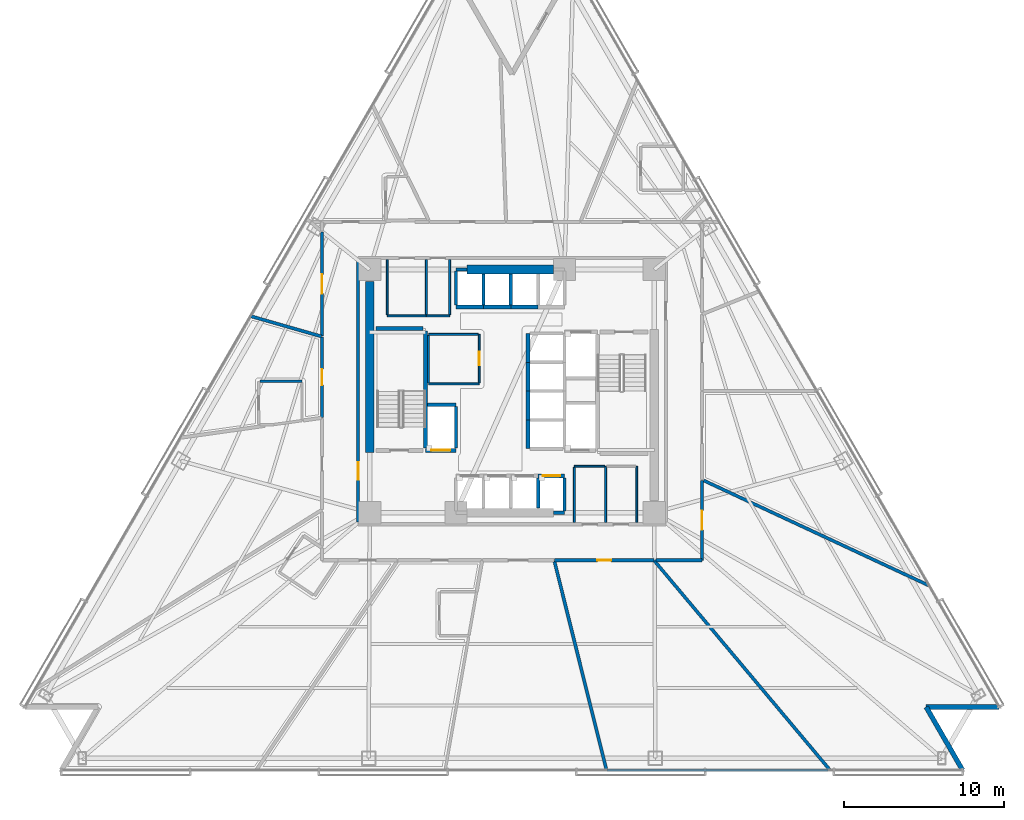
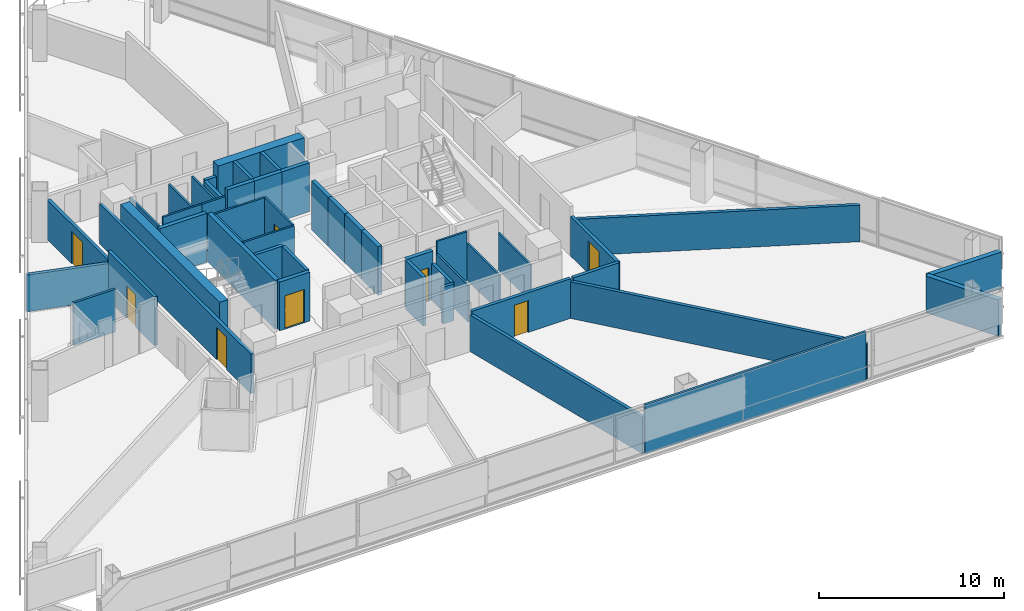
# One storey, part 8 of 16: 49 walls, 8 doors, 8 openings.
"""IFC4 building model written with IfcOpenShell, lengths in metres."""

from ifc_helpers import new_model, si_unit, direction, frame, frame_2d, origin, place, context, subcontext, project, spatial, rectangle, extrude, material, layer, layer_set, type_object, element, fill, save


model = new_model("IFC4")

# Units and contexts
model_context = context("Model", 3, precision=1e-05, world=origin(), true_north=direction((0.0, 1.0)))
body_context = subcontext(model_context, "Body", "Model", "MODEL_VIEW")
ifc_project = project(units=[si_unit("LENGTHUNIT", "METRE"), si_unit("AREAUNIT", "SQUARE_METRE"), si_unit("VOLUMEUNIT", "CUBIC_METRE"), si_unit("PLANEANGLEUNIT", "RADIAN"), si_unit("MASSUNIT", "GRAM", prefix="KILO")], contexts=[model_context])

# Site, building, storey
site_placement = place(None, origin())
site = spatial("IfcSite", under=ifc_project, at=site_placement, CompositionType="ELEMENT")
building_placement = place(site_placement, origin())
building = spatial("IfcBuilding", under=site, at=building_placement, Name="Tharavind Bronze Gate", CompositionType="ELEMENT")
storey_placement = place(building_placement, frame((0.0, 0.0, 42.050048828125)))
storey = spatial("IfcBuildingStorey", under=building, at=storey_placement, Name="L09", CompositionType="ELEMENT", Elevation=42.050048828125)

# Walls
ifc_material_1 = material(Name="Concrete C40/50", Category="concrete")
ifc_layer_1 = layer(ifc_material_1, 0.300048828125)
ifc_layer_set_1 = layer_set([ifc_layer_1], Name="Concrete C40/50")
wall_type_1 = type_object("IfcWallType", Name="EXTERIOR SPANDREL WALL 300", PredefinedType="STANDARD", material=ifc_layer_set_1)
wall_1_placement = place(storey_placement, frame((28.17578125, -23.699951171875, 0.0), z_axis=(0.0, 0.0, 1.0), x_axis=(-0.500014431597, 0.866017071537, 0.0)))
element("IfcWall", 1, at=wall_1_placement, inside=storey, type_object=wall_type_1, Name="L09 notch cheek wall 3A", PredefinedType="STANDARD", context=body_context, shape_type="SweptSolid", body=[
    extrude(rectangle(XDim=4.559814453125, YDim=0.300048828125, at=frame_2d((2.27978515625, 0.0))), origin(), (0.0, 0.0, 1.0), 2.419921875),
])
wall_2_placement = place(storey_placement, frame((25.895751953125, -19.7509765625, 0.0), z_axis=(0.0, 0.0, 1.0), x_axis=(1.0, 0.0, 0.0)))
element("IfcWall", 2, at=wall_2_placement, inside=storey, type_object=wall_type_1, Name="L09 notch cheek wall 3B", PredefinedType="STANDARD", context=body_context, shape_type="SweptSolid", body=[
    extrude(rectangle(XDim=4.56005859375, YDim=0.300048828125, at=frame_2d((2.280029296875, 0.0))), origin(), (0.0, 0.0, 1.0), 2.419921875),
])

# Wall, opening, door
ifc_material_2 = material(Name="Aerated Concrete Block", Category="concrete")
ifc_layer_2 = layer(ifc_material_2, 0.199951171875)
ifc_layer_set_2 = layer_set([ifc_layer_2], Name="Aerated Concrete Block")
wall_type_2 = type_object("IfcWallType", Name="FIRE RATED PARTITION 200", PredefinedType="PARTITIONING", material=ifc_layer_set_2)
wall_3_placement = place(storey_placement, frame((-9.6201171875, 8.199951171875, 0.0), z_axis=(0.0, 0.0, 1.0), x_axis=(0.0, -1.0, 0.0)))
wall_3 = element("IfcWall", 3, at=wall_3_placement, inside=storey, type_object=wall_type_2, Name="L09 west core corridor wall", PredefinedType="PARTITIONING", context=body_context, shape_type="SweptSolid", body=[
    extrude(rectangle(XDim=16.39990234375, YDim=0.199951171875, at=frame_2d((8.199951171875, 0.0))), origin(), (0.0, 0.0, 1.0), 2.619873046875),
])
opening_1_placement = place(wall_3_placement, frame((12.64990234375, 0.0, 0.0)))
opening_1 = element("IfcOpeningElement", 4, at=opening_1_placement, cuts=wall_3, Name="Opening ID01", PredefinedType="OPENING", context=body_context, shape_type="SweptSolid", body=[
    extrude(rectangle(XDim=1.10009765625, YDim=2.14990234375, at=frame_2d((0.550048828125, 1.074951171875))), frame((0.0, 0.11009765625, 0.0), z_axis=(0.0, -1.0, 0.0), x_axis=(1.0, 0.0, 0.0)), (0.0, 0.0, 1.0), 0.219951171875),
])
ifc_material_3 = material(Name="Fire-Rated Steel", Category="steel")
door_type_1 = type_object("IfcDoorType", Name="STAIR CORE FIRE DOOR 1100X2150", OperationType="SINGLE_SWING_LEFT", PredefinedType="DOOR", material=ifc_material_3)
door_1_placement = place(opening_1_placement, frame((1.10009765625, 0.0, 0.0), z_axis=(0.0, 0.0, 1.0), x_axis=(-1.0, 0.0, 0.0)))
door_1 = element("IfcDoor", 5, at=door_1_placement, inside=storey, type_object=door_type_1, Name="L09 south west stair lobby fire door", OperationType="SINGLE_SWING_LEFT", OverallHeight=2.14990234375, OverallWidth=1.10009765625, PredefinedType="DOOR", context=body_context, shape_type="SweptSolid", body=[
    extrude(rectangle(XDim=1.10009765625, YDim=2.14990234375, at=frame_2d((0.550048828125, 1.074951171875))), frame((0.0, 0.02490234375, 0.0), z_axis=(0.0, -1.0, 0.0), x_axis=(1.0, 0.0, 0.0)), (0.0, 0.0, 1.0), 0.050048828125),
])
fill(opening_1, door_1)

# Wall
wall_4_placement = place(storey_placement, frame((5.904296875, -23.680908203125, 0.0), z_axis=(0.0, 0.0, 1.0), x_axis=(-0.241929995817, 0.970293706629, 0.0)))
element("IfcWall", 6, at=wall_4_placement, inside=storey, type_object=wall_type_2, Name="L09 Public Restrooms Block partition", PredefinedType="PARTITIONING", context=body_context, shape_type="SweptSolid", body=[
    extrude(rectangle(XDim=13.469970703125, YDim=0.199951171875, at=frame_2d((6.73486328125, 0.0))), origin(), (0.0, 0.0, 1.0), 2.419921875),
])

# Wall, opening, door
wall_5_placement = place(storey_placement, frame((2.669921875, -10.580078125, 0.0), z_axis=(0.0, 0.0, 1.0), x_axis=(1.0, 0.0, 0.0)))
wall_5 = element("IfcWall", 7, at=wall_5_placement, inside=storey, type_object=wall_type_2, Name="L09 Public Restrooms Block partition", PredefinedType="PARTITIONING", context=body_context, shape_type="SweptSolid", body=[
    extrude(rectangle(XDim=6.196044921875, YDim=0.199951171875, at=frame_2d((3.09814453125, 0.0))), origin(), (0.0, 0.0, 1.0), 2.619873046875),
])
opening_2_placement = place(wall_5_placement, frame((2.673095703125, 0.0, 0.0)))
opening_2 = element("IfcOpeningElement", 8, at=opening_2_placement, cuts=wall_5, Name="Opening ID06", PredefinedType="OPENING", context=body_context, shape_type="SweptSolid", body=[
    extrude(rectangle(XDim=0.85009765625, YDim=2.10009765625, at=frame_2d((0.425048828125, 1.050048828125))), frame((0.0, 0.11009765625, 0.0), z_axis=(0.0, -1.0, 0.0), x_axis=(1.0, 0.0, 0.0)), (0.0, 0.0, 1.0), 0.219951171875),
])
ifc_material_4 = material(Name="Moisture-Resistant Timber", Category="wood")
door_type_2 = type_object("IfcDoorType", Name="BATHROOM PRIVACY DOOR 850X2100", OperationType="SINGLE_SWING_RIGHT", PredefinedType="DOOR", material=ifc_material_4)
door_2_placement = place(opening_2_placement, origin())
door_2 = element("IfcDoor", 9, at=door_2_placement, inside=storey, type_object=door_type_2, Name="L09 Public Restrooms Block door", OperationType="SINGLE_SWING_RIGHT", OverallHeight=2.10009765625, OverallWidth=0.85009765625, PredefinedType="DOOR", context=body_context, shape_type="SweptSolid", body=[
    extrude(rectangle(XDim=0.85009765625, YDim=2.10009765625, at=frame_2d((0.425048828125, 1.050048828125))), frame((0.0, 0.02490234375, 0.0), z_axis=(0.0, -1.0, 0.0), x_axis=(1.0, 0.0, 0.0)), (0.0, 0.0, 1.0), 0.050048828125),
])
fill(opening_2, door_2)

# Wall
wall_6_placement = place(storey_placement, frame((8.88525390625, -10.5888671875, 0.0), z_axis=(0.0, 0.0, 1.0), x_axis=(0.642786207644, -0.76604561957, 0.0)))
element("IfcWall", 10, at=wall_6_placement, inside=storey, type_object=wall_type_2, Name="L09 Public Restrooms Block partition", PredefinedType="PARTITIONING", context=body_context, shape_type="SweptSolid", body=[
    extrude(rectangle(XDim=17.115234375, YDim=0.199951171875, at=frame_2d((8.5576171875, 0.0))), origin(), (0.0, 0.0, 1.0), 2.419921875),
])

# Wall, opening, door
wall_7_placement = place(storey_placement, frame((-11.8798828125, 9.956787109375, 0.0), z_axis=(0.0, 0.0, 1.0), x_axis=(0.0, -1.0, 0.0)))
wall_7 = element("IfcWall", 11, at=wall_7_placement, inside=storey, type_object=wall_type_2, Name="L09 Hotel Guest Lounge partition", PredefinedType="PARTITIONING", context=body_context, shape_type="SweptSolid", body=[
    extrude(rectangle(XDim=6.51708984375, YDim=0.199951171875, at=frame_2d((3.258544921875, 0.0))), origin(), (0.0, 0.0, 1.0), 2.619873046875),
])
opening_3_placement = place(wall_7_placement, frame((2.658935546875, 0.0, 0.0)))
opening_3 = element("IfcOpeningElement", 12, at=opening_3_placement, cuts=wall_7, Name="Opening ID05", PredefinedType="OPENING", context=body_context, shape_type="SweptSolid", body=[
    extrude(rectangle(XDim=1.199951171875, YDim=2.14990234375, at=frame_2d((0.60009765625, 1.074951171875))), frame((0.0, 0.11009765625, 0.0), z_axis=(0.0, -1.0, 0.0), x_axis=(1.0, 0.0, 0.0)), (0.0, 0.0, 1.0), 0.219951171875),
])
ifc_material_5 = material(Name="Acoustic Laminated Glass", Category="glass")
door_type_3 = type_object("IfcDoorType", Name="MEETING ROOM GLAZED DOOR 1200X2150", OperationType="SINGLE_SWING_LEFT", PredefinedType="DOOR", material=ifc_material_5)
door_3_placement = place(opening_3_placement, origin())
door_3 = element("IfcDoor", 13, at=door_3_placement, inside=storey, type_object=door_type_3, Name="L09 Hotel Guest Lounge door", OperationType="SINGLE_SWING_LEFT", OverallHeight=2.14990234375, OverallWidth=1.199951171875, PredefinedType="DOOR", context=body_context, shape_type="SweptSolid", body=[
    extrude(rectangle(XDim=1.199951171875, YDim=2.14990234375, at=frame_2d((0.60009765625, 1.074951171875))), frame((0.0, 0.02490234375, 0.0), z_axis=(0.0, -1.0, 0.0), x_axis=(1.0, 0.0, 0.0)), (0.0, 0.0, 1.0), 0.050048828125),
])
fill(opening_3, door_3)

# Wall
wall_8_placement = place(storey_placement, frame((-11.911865234375, 3.415771484375, 0.0), z_axis=(0.0, 0.0, 1.0), x_axis=(-0.9612679101, 0.275615683539, 0.0)))
element("IfcWall", 14, at=wall_8_placement, inside=storey, type_object=wall_type_2, Name="L09 Hotel Guest Lounge partition", PredefinedType="PARTITIONING", context=body_context, shape_type="SweptSolid", body=[
    extrude(rectangle(XDim=4.61328125, YDim=0.199951171875, at=frame_2d((2.306640625, 0.0))), origin(), (0.0, 0.0, 1.0), 2.419921875),
])

# Wall, opening, door
wall_9_placement = place(storey_placement, frame((-11.8798828125, 3.3876953125, 0.0), z_axis=(0.0, 0.0, 1.0), x_axis=(0.0, -1.0, 0.0)))
wall_9 = element("IfcWall", 15, at=wall_9_placement, inside=storey, type_object=wall_type_2, Name="L09 Hotel Guest Room partition", PredefinedType="PARTITIONING", context=body_context, shape_type="SweptSolid", body=[
    extrude(rectangle(XDim=5.03564453125, YDim=0.199951171875, at=frame_2d((2.517822265625, 0.0))), origin(), (0.0, 0.0, 1.0), 3.224853515625),
])
opening_4_placement = place(wall_9_placement, frame((2.01806640625, 0.0, 0.0)))
opening_4 = element("IfcOpeningElement", 16, at=opening_4_placement, cuts=wall_9, Name="Opening ID03", PredefinedType="OPENING", context=body_context, shape_type="SweptSolid", body=[
    extrude(rectangle(XDim=1.0, YDim=2.14990234375, at=frame_2d((0.5, 1.074951171875))), frame((0.0, 0.11009765625, 0.0), z_axis=(0.0, -1.0, 0.0), x_axis=(1.0, 0.0, 0.0)), (0.0, 0.0, 1.0), 0.219951171875),
])
ifc_material_6 = material(Name="Solid Timber Veneer", Category="wood")
door_type_4 = type_object("IfcDoorType", Name="HOTEL SUITE ENTRANCE DOOR 1000X2150", OperationType="SINGLE_SWING_LEFT", PredefinedType="DOOR", material=ifc_material_6)
door_4_placement = place(opening_4_placement, origin())
door_4 = element("IfcDoor", 17, at=door_4_placement, inside=storey, type_object=door_type_4, Name="L09 Hotel Guest Room door", OperationType="SINGLE_SWING_LEFT", OverallHeight=2.14990234375, OverallWidth=1.0, PredefinedType="DOOR", context=body_context, shape_type="SweptSolid", body=[
    extrude(rectangle(XDim=1.0, YDim=2.14990234375, at=frame_2d((0.5, 1.074951171875))), frame((0.0, 0.02490234375, 0.0), z_axis=(0.0, -1.0, 0.0), x_axis=(1.0, 0.0, 0.0)), (0.0, 0.0, 1.0), 0.050048828125),
])
fill(opening_4, door_4)

wall_10_placement = place(storey_placement, frame((11.8798828125, -10.579345703125, 0.0), z_axis=(0.0, 0.0, 1.0), x_axis=(0.0, 1.0, 0.0)))
wall_10 = element("IfcWall", 18, at=wall_10_placement, inside=storey, type_object=wall_type_2, Name="L09 Hotel Guest Lounge partition", PredefinedType="PARTITIONING", context=body_context, shape_type="SweptSolid", body=[
    extrude(rectangle(XDim=5.000244140625, YDim=0.199951171875, at=frame_2d((2.5, 0.0))), origin(), (0.0, 0.0, 1.0), 2.619873046875),
])
opening_5_placement = place(wall_10_placement, frame((1.89990234375, 0.0, 0.0)))
opening_5 = element("IfcOpeningElement", 19, at=opening_5_placement, cuts=wall_10, Name="Opening ID05", PredefinedType="OPENING", context=body_context, shape_type="SweptSolid", body=[
    extrude(rectangle(XDim=1.199951171875, YDim=2.14990234375, at=frame_2d((0.60009765625, 1.074951171875))), frame((0.0, 0.11009765625, 0.0), z_axis=(0.0, -1.0, 0.0), x_axis=(1.0, 0.0, 0.0)), (0.0, 0.0, 1.0), 0.219951171875),
])
door_5_placement = place(opening_5_placement, origin())
door_5 = element("IfcDoor", 20, at=door_5_placement, inside=storey, type_object=door_type_3, Name="L09 Hotel Guest Lounge door", OperationType="SINGLE_SWING_LEFT", OverallHeight=2.14990234375, OverallWidth=1.199951171875, PredefinedType="DOOR", context=body_context, shape_type="SweptSolid", body=[
    extrude(rectangle(XDim=1.199951171875, YDim=2.14990234375, at=frame_2d((0.60009765625, 1.074951171875))), frame((0.0, 0.02490234375, 0.0), z_axis=(0.0, -1.0, 0.0), x_axis=(1.0, 0.0, 0.0)), (0.0, 0.0, 1.0), 0.050048828125),
])
fill(opening_5, door_5)

# Walls
wall_11_placement = place(storey_placement, frame((11.985107421875, -5.588623046875, 0.0), z_axis=(0.0, 0.0, 1.0), x_axis=(0.906307562188, -0.422618743929, 0.0)))
element("IfcWall", 21, at=wall_11_placement, inside=storey, type_object=wall_type_2, Name="L09 Hotel Guest Lounge partition", PredefinedType="PARTITIONING", context=body_context, shape_type="SweptSolid", body=[
    extrude(rectangle(XDim=15.53515625, YDim=0.199951171875, at=frame_2d((7.767578125, 0.0))), origin(), (0.0, 0.0, 1.0), 2.419921875),
])
wall_12_placement = place(storey_placement, frame((9.014892578125, -10.580078125, 0.0), z_axis=(0.0, 0.0, 1.0), x_axis=(1.0, 0.0, 0.0)))
element("IfcWall", 22, at=wall_12_placement, inside=storey, type_object=wall_type_2, Name="L09 Hotel Guest Lounge partition", PredefinedType="PARTITIONING", context=body_context, shape_type="SweptSolid", body=[
    extrude(rectangle(XDim=2.864501953125, YDim=0.199951171875, at=frame_2d((1.43212890625, 0.0))), origin(), (0.0, 0.0, 1.0), 2.619873046875),
])
ifc_material_7 = material(Name="Metal Stud Gypsum Partition", Category="gypsum")
ifc_layer_3 = layer(ifc_material_7, 0.1201171875)
ifc_layer_set_3 = layer_set([ifc_layer_3], Name="Metal Stud Gypsum Partition")
wall_type_3 = type_object("IfcWallType", Name="INTERIOR PARTITION WALL 120", PredefinedType="PARTITIONING", material=ifc_layer_set_3)
wall_13_placement = place(storey_placement, frame((-5.219970703125, 0.449951171875, 0.0), z_axis=(0.0, 0.0, 1.0), x_axis=(1.0, 0.0, 0.0)))
element("IfcWall", 23, at=wall_13_placement, inside=storey, type_object=wall_type_3, Name="L09 Electrical & Telecom Store partition 1", PredefinedType="PARTITIONING", context=body_context, shape_type="SweptSolid", body=[
    extrude(rectangle(XDim=3.169921875, YDim=0.1201171875, at=frame_2d((1.5849609375, 0.0))), origin(), (0.0, 0.0, 1.0), 3.224853515625),
])

# Wall, opening, door
wall_14_placement = place(storey_placement, frame((-2.050048828125, 0.514892578125, 0.0), z_axis=(0.0, 0.0, 1.0), x_axis=(0.0, 1.0, 0.0)))
wall_14 = element("IfcWall", 24, at=wall_14_placement, inside=storey, type_object=wall_type_3, Name="L09 Electrical & Telecom Store partition 2", PredefinedType="PARTITIONING", context=body_context, shape_type="SweptSolid", body=[
    extrude(rectangle(XDim=3.03515625, YDim=0.1201171875, at=frame_2d((1.517578125, 0.0))), origin(), (0.0, 0.0, 1.0), 3.224853515625),
])
opening_6_placement = place(wall_14_placement, frame((1.092041015625, 0.0, 0.0)))
opening_6 = element("IfcOpeningElement", 25, at=opening_6_placement, cuts=wall_14, Name="Opening ID06", PredefinedType="OPENING", context=body_context, shape_type="SweptSolid", body=[
    extrude(rectangle(XDim=0.85009765625, YDim=2.10009765625, at=frame_2d((0.425048828125, 1.050048828125))), frame((0.0, 0.07005859375, 0.0), z_axis=(0.0, -1.0, 0.0), x_axis=(1.0, 0.0, 0.0)), (0.0, 0.0, 1.0), 0.1401171875),
])
door_6_placement = place(opening_6_placement, frame((0.85009765625, 0.0, 0.0), z_axis=(0.0, 0.0, 1.0), x_axis=(-1.0, 0.0, 0.0)))
door_6 = element("IfcDoor", 26, at=door_6_placement, inside=storey, type_object=door_type_2, Name="L09 Electrical & Telecom Store door", OperationType="SINGLE_SWING_RIGHT", OverallHeight=2.10009765625, OverallWidth=0.85009765625, PredefinedType="DOOR", context=body_context, shape_type="SweptSolid", body=[
    extrude(rectangle(XDim=0.85009765625, YDim=2.10009765625, at=frame_2d((0.425048828125, 1.050048828125))), frame((0.0, 0.02490234375, 0.0), z_axis=(0.0, -1.0, 0.0), x_axis=(1.0, 0.0, 0.0)), (0.0, 0.0, 1.0), 0.050048828125),
])
fill(opening_6, door_6)

# Walls
wall_15_placement = place(storey_placement, frame((-2.114990234375, 3.550048828125, 0.0), z_axis=(0.0, 0.0, 1.0), x_axis=(-1.0, 0.0, 0.0)))
element("IfcWall", 27, at=wall_15_placement, inside=storey, type_object=wall_type_3, Name="L09 Electrical & Telecom Store partition 3", PredefinedType="PARTITIONING", context=body_context, shape_type="SweptSolid", body=[
    extrude(rectangle(XDim=3.10498046875, YDim=0.1201171875, at=frame_2d((1.552490234375, 0.0))), origin(), (0.0, 0.0, 1.0), 3.224853515625),
])
wall_16_placement = place(storey_placement, frame((-5.219970703125, 3.485107421875, 0.0), z_axis=(0.0, 0.0, 1.0), x_axis=(0.0, -1.0, 0.0)))
element("IfcWall", 28, at=wall_16_placement, inside=storey, type_object=wall_type_3, Name="L09 Electrical & Telecom Store partition 4", PredefinedType="PARTITIONING", context=body_context, shape_type="SweptSolid", body=[
    extrude(rectangle(XDim=2.97021484375, YDim=0.1201171875, at=frame_2d((1.485107421875, 0.0))), origin(), (0.0, 0.0, 1.0), 3.224853515625),
])
wall_17_placement = place(storey_placement, frame((-7.800048828125, 4.699951171875, 0.0), z_axis=(0.0, 0.0, 1.0), x_axis=(1.0, 0.0, 0.0)))
element("IfcWall", 29, at=wall_17_placement, inside=storey, type_object=wall_type_3, Name="L09 Electrical Metering Room partition 1", PredefinedType="PARTITIONING", context=body_context, shape_type="SweptSolid", body=[
    extrude(rectangle(XDim=2.449951171875, YDim=0.1201171875, at=frame_2d((1.22509765625, 0.0))), origin(), (0.0, 0.0, 1.0), 3.224853515625),
])
for number, where, z_axis, x_axis, name in (
    (30, (-5.35009765625, 4.764892578125, 0.0), (0.0, 0.0, 1.0), (0.0, 1.0, 0.0), "L09 Electrical Metering Room partition 2"),
    (31, (-7.800048828125, 8.215087890625, 0.0), (0.0, 0.0, 1.0), (0.0, -1.0, 0.0), "L09 Electrical Metering Room partition 4"),
):
    element("IfcWall", number, at=place(storey_placement, frame(where, z_axis=z_axis, x_axis=x_axis)), inside=storey, type_object=wall_type_3, Name=name, PredefinedType="PARTITIONING", context=body_context, shape_type="SweptSolid", body=[
        extrude(rectangle(XDim=3.4501953125, YDim=0.1201171875, at=frame_2d((1.72509765625, 0.0))), origin(), (0.0, 0.0, 1.0), 2.419921875),
    ])
wall_18_placement = place(storey_placement, frame((-5.35009765625, 4.699951171875, 0.0), z_axis=(0.0, 0.0, 1.0), x_axis=(1.0, 0.0, 0.0)))
element("IfcWall", 32, at=wall_18_placement, inside=storey, type_object=wall_type_3, Name="L09 Linen Cupboard partition 1", PredefinedType="PARTITIONING", context=body_context, shape_type="SweptSolid", body=[
    extrude(rectangle(XDim=1.4501953125, YDim=0.1201171875, at=frame_2d((0.72509765625, 0.0))), origin(), (0.0, 0.0, 1.0), 3.224853515625),
])
wall_19_placement = place(storey_placement, frame((-3.89990234375, 4.764892578125, 0.0), z_axis=(0.0, 0.0, 1.0), x_axis=(0.0, 1.0, 0.0)))
element("IfcWall", 33, at=wall_19_placement, inside=storey, type_object=wall_type_3, Name="L09 Linen Cupboard partition 2", PredefinedType="PARTITIONING", context=body_context, shape_type="SweptSolid", body=[
    extrude(rectangle(XDim=3.4501953125, YDim=0.1201171875, at=frame_2d((1.72509765625, 0.0))), origin(), (0.0, 0.0, 1.0), 2.419921875),
])
wall_20_placement = place(storey_placement, frame((5.85009765625, -8.215087890625, 0.0), z_axis=(0.0, 0.0, 1.0), x_axis=(0.0, 1.0, 0.0)))
element("IfcWall", 34, at=wall_20_placement, inside=storey, type_object=wall_type_3, Name="L09 Comms Patch Room partition 2", PredefinedType="PARTITIONING", context=body_context, shape_type="SweptSolid", body=[
    extrude(rectangle(XDim=3.51513671875, YDim=0.1201171875, at=frame_2d((1.757568359375, 0.0))), origin(), (0.0, 0.0, 1.0), 2.419921875),
])
wall_21_placement = place(storey_placement, frame((5.784912109375, -4.699951171875, 0.0), z_axis=(0.0, 0.0, 1.0), x_axis=(-1.0, 0.0, 0.0)))
element("IfcWall", 35, at=wall_21_placement, inside=storey, type_object=wall_type_3, Name="L09 Comms Patch Room partition 3", PredefinedType="PARTITIONING", context=body_context, shape_type="SweptSolid", body=[
    extrude(rectangle(XDim=1.885009765625, YDim=0.1201171875, at=frame_2d((0.9423828125, 0.0))), origin(), (0.0, 0.0, 1.0), 3.224853515625),
])
wall_22_placement = place(storey_placement, frame((3.89990234375, -4.764892578125, 0.0), z_axis=(0.0, 0.0, 1.0), x_axis=(0.0, -1.0, 0.0)))
element("IfcWall", 36, at=wall_22_placement, inside=storey, type_object=wall_type_3, Name="L09 Comms Patch Room partition 4", PredefinedType="PARTITIONING", context=body_context, shape_type="SweptSolid", body=[
    extrude(rectangle(XDim=3.4501953125, YDim=0.1201171875, at=frame_2d((1.72509765625, 0.0))), origin(), (0.0, 0.0, 1.0), 2.419921875),
])
wall_23_placement = place(storey_placement, frame((7.800048828125, -8.215087890625, 0.0), z_axis=(0.0, 0.0, 1.0), x_axis=(0.0, 1.0, 0.0)))
element("IfcWall", 37, at=wall_23_placement, inside=storey, type_object=wall_type_3, Name="L09 Housekeeping Store partition 2", PredefinedType="PARTITIONING", context=body_context, shape_type="SweptSolid", body=[
    extrude(rectangle(XDim=3.51513671875, YDim=0.1201171875, at=frame_2d((1.757568359375, 0.0))), origin(), (0.0, 0.0, 1.0), 2.419921875),
])
ifc_material_8 = material(Name="Twin Stud Acoustic Gypsum", Category="gypsum")
ifc_layer_4 = layer(ifc_material_8, 0.14990234375)
ifc_layer_set_4 = layer_set([ifc_layer_4], Name="Twin Stud Acoustic Gypsum")
wall_type_4 = type_object("IfcWallType", Name="INTERIOR PARTITION WALL 150", PredefinedType="PARTITIONING", material=ifc_layer_set_4)
wall_24_placement = place(storey_placement, frame((-15.74951171875, 0.608154296875, 0.0), z_axis=(0.0, 0.0, 1.0), x_axis=(1.0, 0.0, 0.0)))
element("IfcWall", 38, at=wall_24_placement, inside=storey, type_object=wall_type_4, Name="L09 En-Suite Bathroom partition", PredefinedType="PARTITIONING", context=body_context, shape_type="SweptSolid", body=[
    extrude(rectangle(XDim=2.619873046875, YDim=0.14990234375, at=frame_2d((1.31005859375, 0.0))), origin(), (0.0, 0.0, 1.0), 2.820068359375),
])
wall_25_placement = place(storey_placement, frame((19.74951171875, -23.699951171875, 0.0), z_axis=(0.0, 0.0, 1.0), x_axis=(-1.0, 0.0, 0.0)))
element("IfcWall", 39, at=wall_25_placement, inside=storey, type_object=wall_type_4, Name="L09 Public Restrooms Block partition", PredefinedType="PARTITIONING", context=body_context, shape_type="SweptSolid", body=[
    extrude(rectangle(XDim=13.82080078125, YDim=0.14990234375, at=frame_2d((6.910400390625, 0.0))), origin(), (0.0, 0.0, 1.0), 3.224853515625),
])
ifc_material_9 = material(Name="Concrete C50/60", Category="concrete")
ifc_layer_5 = layer(ifc_material_9, 0.25)
ifc_layer_set_5 = layer_set([ifc_layer_5], Name="Concrete C50/60")
wall_type_5 = type_object("IfcWallType", Name="RC CORE SHEAR WALL 250", PredefinedType="SHEAR", material=ifc_layer_set_5)
wall_26_placement = place(storey_placement, frame((-5.39990234375, -3.550048828125, 0.0), z_axis=(0.0, 0.0, 1.0), x_axis=(0.0, 1.0, 0.0)))
element("IfcWall", 40, at=wall_26_placement, inside=storey, type_object=wall_type_5, Name="L09 ST1 shaft east wall", PredefinedType="SHEAR", context=body_context, shape_type="SweptSolid", body=[
    extrude(rectangle(XDim=7.300048828125, YDim=0.25, at=frame_2d((3.64990234375, 0.0))), origin(), (0.0, 0.0, 1.0), 3.224853515625),
])
wall_27_placement = place(storey_placement, frame((-8.5, 3.89990234375, 0.0), z_axis=(0.0, 0.0, 1.0), x_axis=(1.0, 0.0, 0.0)))
element("IfcWall", 41, at=wall_27_placement, inside=storey, type_object=wall_type_5, Name="L09 ST1 shaft north wall", PredefinedType="SHEAR", context=body_context, shape_type="SweptSolid", body=[
    extrude(rectangle(XDim=2.949951171875, YDim=0.25, at=frame_2d((1.47509765625, 0.0))), origin(), (0.0, 0.0, 1.0), 3.224853515625),
])

# Wall, opening, door
wall_28_placement = place(storey_placement, frame((1.637451171875, -5.300048828125, 0.0), z_axis=(0.0, 0.0, 1.0), x_axis=(1.0, 0.0, 0.0)))
wall_28 = element("IfcWall", 42, at=wall_28_placement, inside=storey, type_object=wall_type_5, Name="L09 lift PL4 shaft front wall", PredefinedType="SHEAR", context=body_context, shape_type="SweptSolid", body=[
    extrude(rectangle(XDim=1.642578125, YDim=0.25, at=frame_2d((0.8212890625, 0.0))), origin(), (0.0, 0.0, 1.0), 3.224853515625),
])
opening_7_placement = place(wall_28_placement, frame((0.27099609375, 0.0, 0.0)))
opening_7 = element("IfcOpeningElement", 43, at=opening_7_placement, cuts=wall_28, Name="Opening LD01", PredefinedType="OPENING", context=body_context, shape_type="SweptSolid", body=[
    extrude(rectangle(XDim=1.10009765625, YDim=2.199951171875, at=frame_2d((0.550048828125, 1.10009765625))), frame((0.0, 0.135, 0.0), z_axis=(0.0, -1.0, 0.0), x_axis=(1.0, 0.0, 0.0)), (0.0, 0.0, 1.0), 0.27),
])
ifc_material_10 = material(Name="Brushed Bronze Stainless Steel", Category="steel")
door_type_5 = type_object("IfcDoorType", Name="LIFT LANDING SLIDING DOOR 1100X2200", OperationType="SLIDING_TO_LEFT", PredefinedType="DOOR", material=ifc_material_10)
door_7_placement = place(opening_7_placement, origin())
door_7 = element("IfcDoor", 44, at=door_7_placement, inside=storey, type_object=door_type_5, Name="L09 lift PL4 sliding landing door", OperationType="SLIDING_TO_LEFT", OverallHeight=2.199951171875, OverallWidth=1.10009765625, PredefinedType="DOOR", context=body_context, shape_type="SweptSolid", body=[
    extrude(rectangle(XDim=1.10009765625, YDim=2.199951171875, at=frame_2d((0.550048828125, 1.10009765625))), frame((0.0, 0.02490234375, 0.0), z_axis=(0.0, -1.0, 0.0), x_axis=(1.0, 0.0, 0.0)), (0.0, 0.0, 1.0), 0.050048828125),
])
fill(opening_7, door_7)

# Walls
wall_29_placement = place(storey_placement, frame((-3.5, 5.25, 0.0), z_axis=(0.0, 0.0, 1.0), x_axis=(1.0, 0.0, 0.0)))
element("IfcWall", 45, at=wall_29_placement, inside=storey, type_object=wall_type_5, Name="L09 lift PL5 shaft front wall", PredefinedType="SHEAR", context=body_context, shape_type="SweptSolid", body=[
    extrude(rectangle(XDim=1.71240234375, YDim=0.25, at=frame_2d((0.856201171875, 0.0))), origin(), (0.0, 0.0, 1.0), 3.224853515625),
])
wall_30_placement = place(storey_placement, frame((-1.78759765625, 5.25, 0.0), z_axis=(0.0, 0.0, 1.0), x_axis=(1.0, 0.0, 0.0)))
element("IfcWall", 46, at=wall_30_placement, inside=storey, type_object=wall_type_5, Name="L09 lift PL6 shaft front wall", PredefinedType="SHEAR", context=body_context, shape_type="SweptSolid", body=[
    extrude(rectangle(XDim=1.712646484375, YDim=0.25, at=frame_2d((0.8564453125, 0.0))), origin(), (0.0, 0.0, 1.0), 3.224853515625),
])
wall_31_placement = place(storey_placement, frame((-0.074951171875, 5.25, 0.0), z_axis=(0.0, 0.0, 1.0), x_axis=(1.0, 0.0, 0.0)))
element("IfcWall", 47, at=wall_31_placement, inside=storey, type_object=wall_type_5, Name="L09 lift PL7 shaft front wall", PredefinedType="SHEAR", context=body_context, shape_type="SweptSolid", body=[
    extrude(rectangle(XDim=1.71240234375, YDim=0.25, at=frame_2d((0.856201171875, 0.0))), origin(), (0.0, 0.0, 1.0), 3.224853515625),
])
for number, where, z_axis, x_axis, name in (
    (48, (1.0, -3.60009765625, 0.0), (0.0, 0.0, 1.0), (0.0, 1.0, 0.0), "L09 lift PL9 shaft front wall"),
    (49, (1.0, -1.800048828125, 0.0), (0.0, 0.0, 1.0), (0.0, 1.0, 0.0), "L09 lift PL10 shaft front wall"),
    (50, (1.0, 0.0, 0.0), (0.0, 0.0, 1.0), (0.0, 1.0, 0.0), "L09 lift PL11 shaft front wall"),
    (51, (1.0, 1.800048828125, 0.0), (0.0, 0.0, 1.0), (0.0, 1.0, 0.0), "L09 lift PL12 shaft front wall"),
):
    element("IfcWall", number, at=place(storey_placement, frame(where, z_axis=z_axis, x_axis=x_axis)), inside=storey, type_object=wall_type_5, Name=name, PredefinedType="SHEAR", context=body_context, shape_type="SweptSolid", body=[
        extrude(rectangle(XDim=1.800048828125, YDim=0.25, at=frame_2d((0.89990234375, 0.0))), origin(), (0.0, 0.0, 1.0), 3.224853515625),
    ])

# Wall, opening, door
wall_32_placement = place(storey_placement, frame((-5.39990234375, -3.699951171875, 0.0), z_axis=(0.0, 0.0, 1.0), x_axis=(1.0, 0.0, 0.0)))
wall_32 = element("IfcWall", 52, at=wall_32_placement, inside=storey, type_object=wall_type_5, Name="L09 lift FFL1 shaft front wall", PredefinedType="SHEAR", context=body_context, shape_type="SweptSolid", body=[
    extrude(rectangle(XDim=1.89990234375, YDim=0.25, at=frame_2d((0.949951171875, 0.0))), origin(), (0.0, 0.0, 1.0), 3.224853515625),
])
opening_8_placement = place(wall_32_placement, frame((0.35009765625, 0.0, 0.0)))
opening_8 = element("IfcOpeningElement", 53, at=opening_8_placement, cuts=wall_32, Name="Opening LD02", PredefinedType="OPENING", context=body_context, shape_type="SweptSolid", body=[
    extrude(rectangle(XDim=1.199951171875, YDim=2.199951171875, at=frame_2d((0.60009765625, 1.10009765625))), frame((0.0, 0.135, 0.0), z_axis=(0.0, -1.0, 0.0), x_axis=(1.0, 0.0, 0.0)), (0.0, 0.0, 1.0), 0.27),
])
ifc_material_11 = material(Name="Brushed Stainless Steel", Category="steel")
door_type_6 = type_object("IfcDoorType", Name="FIREFIGHTING LIFT LANDING DOOR 1200X2200", OperationType="SLIDING_TO_RIGHT", PredefinedType="DOOR", material=ifc_material_11)
door_8_placement = place(opening_8_placement, origin())
door_8 = element("IfcDoor", 54, at=door_8_placement, inside=storey, type_object=door_type_6, Name="L09 lift FFL1 sliding landing door", OperationType="SLIDING_TO_RIGHT", OverallHeight=2.199951171875, OverallWidth=1.199951171875, PredefinedType="DOOR", context=body_context, shape_type="SweptSolid", body=[
    extrude(rectangle(XDim=1.199951171875, YDim=2.199951171875, at=frame_2d((0.60009765625, 1.10009765625))), frame((0.0, 0.02490234375, 0.0), z_axis=(0.0, -1.0, 0.0), x_axis=(1.0, 0.0, 0.0)), (0.0, 0.0, 1.0), 0.050048828125),
])
fill(opening_8, door_8)

# Walls
ifc_material_12 = material(Name="Concrete C60/75", Category="concrete")
ifc_layer_6 = layer(ifc_material_12, 0.550048828125)
ifc_layer_set_6 = layer_set([ifc_layer_6], Name="Concrete C60/75")
wall_type_6 = type_object("IfcWallType", Name="RC CORE SHEAR WALL 550", PredefinedType="SHEAR", material=ifc_layer_set_6)
wall_33_placement = place(storey_placement, frame((-2.800048828125, 7.60009765625, 0.0), z_axis=(0.0, 0.0, 1.0), x_axis=(1.0, 0.0, 0.0)))
element("IfcWall", 55, at=wall_33_placement, inside=storey, type_object=wall_type_6, Name="L09 north core shear wall", PredefinedType="SHEAR", context=body_context, shape_type="SweptSolid", body=[
    extrude(rectangle(XDim=5.380126953125, YDim=0.550048828125, at=frame_2d((2.68994140625, 0.0))), origin(), (0.0, 0.0, 1.0), 3.224853515625),
])
wall_34_placement = place(storey_placement, frame((-8.89990234375, -3.85009765625, 0.0), z_axis=(0.0, 0.0, 1.0), x_axis=(0.0, 1.0, 0.0)))
element("IfcWall", 56, at=wall_34_placement, inside=storey, type_object=wall_type_6, Name="L09 west core shear wall", PredefinedType="SHEAR", context=body_context, shape_type="SweptSolid", body=[
    extrude(rectangle(XDim=10.7001953125, YDim=0.550048828125, at=frame_2d((5.35009765625, 0.0))), origin(), (0.0, 0.0, 1.0), 3.224853515625),
])
ifc_layer_7 = layer(ifc_material_1, 0.199951171875)
ifc_layer_set_7 = layer_set([ifc_layer_7], Name="Concrete C40/50")
wall_type_7 = type_object("IfcWallType", Name="SHAFT ENCLOSURE WALL 200", PredefinedType="PARTITIONING", material=ifc_layer_set_7)
wall_35_placement = place(storey_placement, frame((1.637451171875, -7.320068359375, 0.0), z_axis=(0.0, 0.0, 1.0), x_axis=(0.0, 1.0, 0.0)))
element("IfcWall", 57, at=wall_35_placement, inside=storey, type_object=wall_type_7, Name="L09 lift PL3 shaft E enclosure wall", PredefinedType="PARTITIONING", context=body_context, shape_type="SweptSolid", body=[
    extrude(rectangle(XDim=1.89013671875, YDim=0.199951171875, at=frame_2d((0.945068359375, 0.0))), origin(), (0.0, 0.0, 1.0), 3.224853515625),
])
wall_36_placement = place(storey_placement, frame((2.580078125, -7.60009765625, 0.0), z_axis=(0.0, 0.0, 1.0), x_axis=(1.0, 0.0, 0.0)))
element("IfcWall", 58, at=wall_36_placement, inside=storey, type_object=wall_type_7, Name="L09 lift PL4 shaft S enclosure wall", PredefinedType="PARTITIONING", context=body_context, shape_type="SweptSolid", body=[
    extrude(rectangle(XDim=0.699951171875, YDim=0.199951171875, at=frame_2d((0.35009765625, 0.0))), origin(), (0.0, 0.0, 1.0), 2.419921875),
])
wall_37_placement = place(storey_placement, frame((3.280029296875, -7.4951171875, 0.0), z_axis=(0.0, 0.0, 1.0), x_axis=(0.0, 1.0, 0.0)))
element("IfcWall", 59, at=wall_37_placement, inside=storey, type_object=wall_type_7, Name="L09 lift PL4 shaft E enclosure wall", PredefinedType="PARTITIONING", context=body_context, shape_type="SweptSolid", body=[
    extrude(rectangle(XDim=2.065185546875, YDim=0.199951171875, at=frame_2d((1.03271484375, 0.0))), origin(), (0.0, 0.0, 1.0), 2.419921875),
])
wall_38_placement = place(storey_placement, frame((-3.5, 7.60009765625, 0.0), z_axis=(0.0, 0.0, 1.0), x_axis=(1.0, 0.0, 0.0)))
element("IfcWall", 60, at=wall_38_placement, inside=storey, type_object=wall_type_7, Name="L09 lift PL5 shaft N enclosure wall", PredefinedType="PARTITIONING", context=body_context, shape_type="SweptSolid", body=[
    extrude(rectangle(XDim=0.699951171875, YDim=0.199951171875, at=frame_2d((0.35009765625, 0.0))), origin(), (0.0, 0.0, 1.0), 2.419921875),
])
wall_39_placement = place(storey_placement, frame((-3.5, 5.3798828125, 0.0), z_axis=(0.0, 0.0, 1.0), x_axis=(0.0, 1.0, 0.0)))
element("IfcWall", 61, at=wall_39_placement, inside=storey, type_object=wall_type_7, Name="L09 lift PL5 shaft W enclosure wall", PredefinedType="PARTITIONING", context=body_context, shape_type="SweptSolid", body=[
    extrude(rectangle(XDim=2.115234375, YDim=0.199951171875, at=frame_2d((1.0576171875, 0.0))), origin(), (0.0, 0.0, 1.0), 2.419921875),
])
for number, where, z_axis, x_axis, name in (
    (62, (-1.78759765625, 5.3798828125, 0.0), (0.0, 0.0, 1.0), (0.0, 1.0, 0.0), "L09 lift PL5 shaft E enclosure wall"),
    (63, (-0.074951171875, 5.3798828125, 0.0), (0.0, 0.0, 1.0), (0.0, 1.0, 0.0), "L09 lift PL6 shaft E enclosure wall"),
):
    element("IfcWall", number, at=place(storey_placement, frame(where, z_axis=z_axis, x_axis=x_axis)), inside=storey, type_object=wall_type_7, Name=name, PredefinedType="PARTITIONING", context=body_context, shape_type="SweptSolid", body=[
        extrude(rectangle(XDim=1.940185546875, YDim=0.199951171875, at=frame_2d((0.97021484375, 0.0))), origin(), (0.0, 0.0, 1.0), 3.224853515625),
    ])
wall_40_placement = place(storey_placement, frame((-5.27001953125, -0.85009765625, 0.0), z_axis=(0.0, 0.0, 1.0), x_axis=(1.0, 0.0, 0.0)))
element("IfcWall", 64, at=wall_40_placement, inside=storey, type_object=wall_type_7, Name="L09 lift FFL1 shaft N enclosure wall", PredefinedType="PARTITIONING", context=body_context, shape_type="SweptSolid", body=[
    extrude(rectangle(XDim=1.77001953125, YDim=0.199951171875, at=frame_2d((0.885009765625, 0.0))), origin(), (0.0, 0.0, 1.0), 3.224853515625),
])
wall_41_placement = place(storey_placement, frame((-3.5, -3.570068359375, 0.0), z_axis=(0.0, 0.0, 1.0), x_axis=(0.0, 1.0, 0.0)))
element("IfcWall", 65, at=wall_41_placement, inside=storey, type_object=wall_type_7, Name="L09 lift FFL1 shaft E enclosure wall", PredefinedType="PARTITIONING", context=body_context, shape_type="SweptSolid", body=[
    extrude(rectangle(XDim=2.614990234375, YDim=0.199951171875, at=frame_2d((1.3076171875, 0.0))), origin(), (0.0, 0.0, 1.0), 3.224853515625),
])

save(model, "model.ifc")
